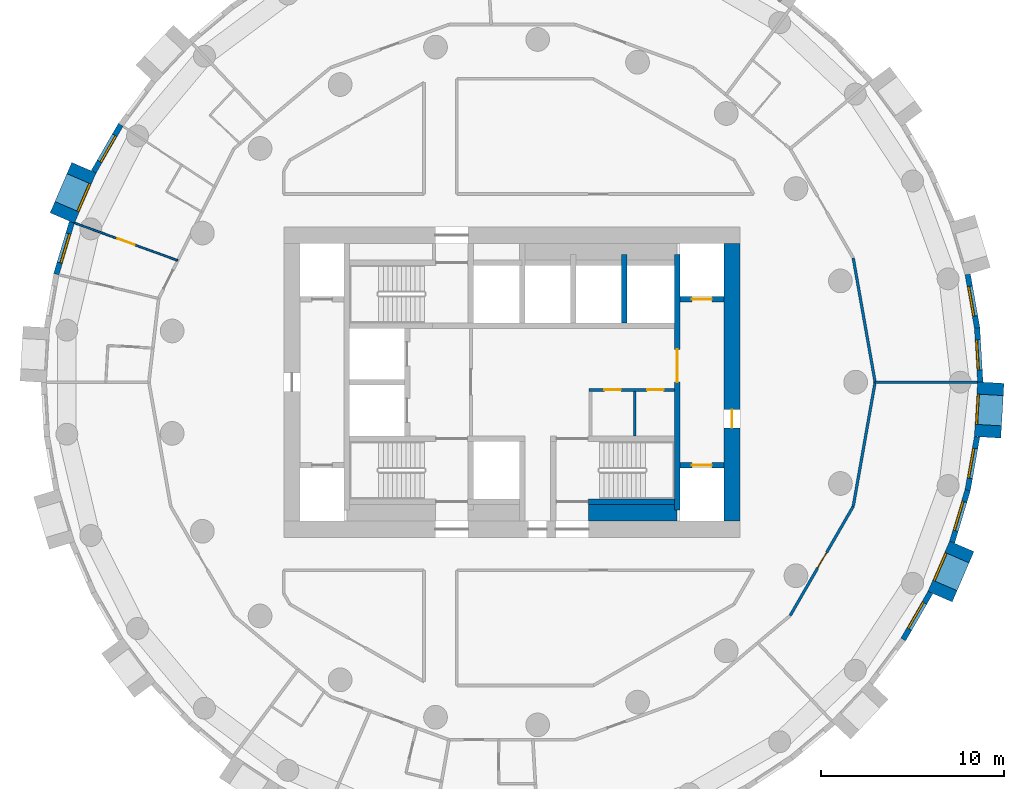
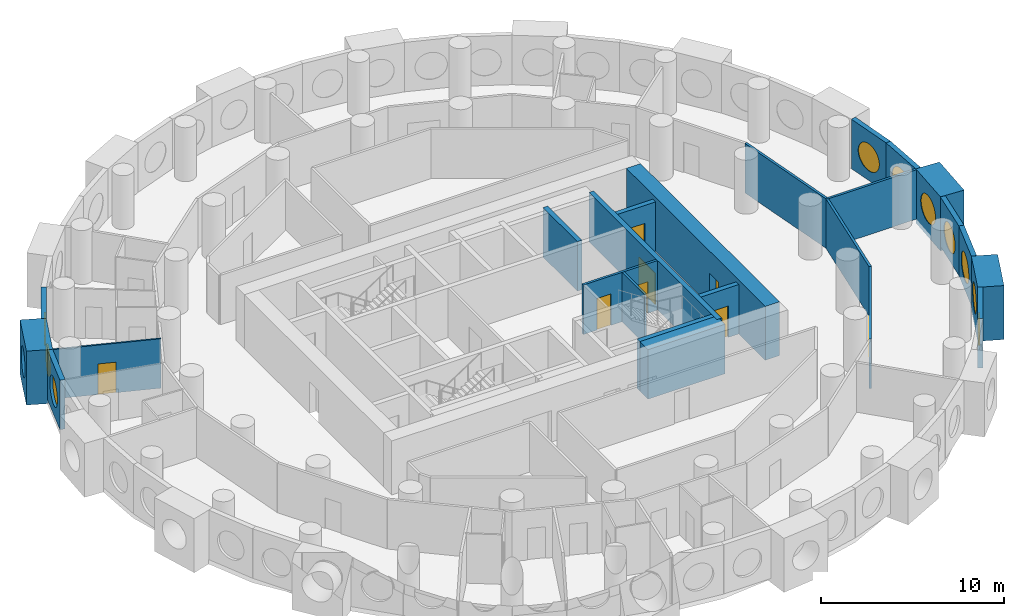
# One storey, part 5 of 9: 24 walls, 10 windows, 8 doors, 18 openings.
"""IFC4 building model written with IfcOpenShell, lengths in metres."""

from ifc_helpers import new_model, si_unit, direction, frame, frame_2d, origin, origin_2d, place, context, subcontext, project, spatial, rectangle, circle, extrude, material, layer, layer_set, type_object, element, fill, save


model = new_model("IFC4")

# Units and contexts
model_context = context("Model", 3, precision=1e-05, world=origin(), true_north=direction((0.0, 1.0)))
body_context = subcontext(model_context, "Body", "Model", "MODEL_VIEW")
ifc_project = project(units=[si_unit("LENGTHUNIT", "METRE"), si_unit("AREAUNIT", "SQUARE_METRE"), si_unit("VOLUMEUNIT", "CUBIC_METRE"), si_unit("PLANEANGLEUNIT", "RADIAN"), si_unit("MASSUNIT", "GRAM", prefix="KILO")], contexts=[model_context])

# Site, building, storey
site_placement = place(None, origin())
site = spatial("IfcSite", under=ifc_project, at=site_placement, CompositionType="ELEMENT")
building_placement = place(site_placement, origin())
building = spatial("IfcBuilding", under=site, at=building_placement, Name="Tracery Tower", CompositionType="ELEMENT")
storey_placement = place(building_placement, frame((0.0, 0.0, 187.199951171875)))
storey = spatial("IfcBuildingStorey", under=building, at=storey_placement, Name="L48", CompositionType="ELEMENT", Elevation=187.199951171875)

# Wall, openings, doors
ifc_material_1 = material(Name="Plasterboard on steel studs", Category="steel")
ifc_layer_1 = layer(ifc_material_1, 0.14990234375)
ifc_layer_set_1 = layer_set([ifc_layer_1], Name="Core room partition 150")
wall_type_1 = type_object("IfcWallType", Name="Core room partition 150", PredefinedType="SOLIDWALL", material=ifc_layer_set_1)
wall_1_placement = place(storey_placement, frame((4.22509765625, -0.425048828125, 0.0), z_axis=(0.0, 0.0, 1.0), x_axis=(1.0, 0.0, 0.0)))
wall_1 = element("IfcWall", 1, at=wall_1_placement, inside=storey, type_object=wall_type_1, Name="L48 slot N", PredefinedType="SOLIDWALL", context=body_context, shape_type="SweptSolid", body=[
    extrude(rectangle(XDim=4.6748046875, YDim=0.14990234375, at=frame_2d((2.33740234375, 0.0))), origin(), (0.0, 0.0, 1.0), 3.300048828125),
])
opening_1_placement = place(wall_1_placement, frame((0.83740234375, 0.0, 0.0)))
opening_1 = element("IfcOpeningElement", 2, at=opening_1_placement, cuts=wall_1, Name="Opening KD27", PredefinedType="OPENING", context=body_context, shape_type="SweptSolid", body=[
    extrude(rectangle(XDim=0.89990234375, YDim=2.10009765625, at=frame_2d((0.449951171875, 1.050048828125))), frame((0.0, 0.074951171875, 0.0), z_axis=(0.0, -1.0, 0.0), x_axis=(1.0, 0.0, 0.0)), (0.0, 0.0, 1.0), 0.14990234375),
])
opening_2_placement = place(wall_1_placement, frame((3.175048828125, 0.0, 0.0)))
opening_2 = element("IfcOpeningElement", 3, at=opening_2_placement, cuts=wall_1, Name="Opening KD21", PredefinedType="OPENING", context=body_context, shape_type="SweptSolid", body=[
    extrude(rectangle(XDim=0.89990234375, YDim=2.10009765625, at=frame_2d((0.449951171875, 1.050048828125))), frame((0.0, 0.074951171875, 0.0), z_axis=(0.0, -1.0, 0.0), x_axis=(1.0, 0.0, 0.0)), (0.0, 0.0, 1.0), 0.14990234375),
])
ifc_material_2 = material(Name="Timber door leaf", Category="wood")
door_type_1 = type_object("IfcDoorType", Name="Core WC door 900", OperationType="NOTDEFINED", PredefinedType="DOOR", material=ifc_material_2)
door_1_placement = place(opening_2_placement, origin())
door_1 = element("IfcDoor", 4, at=door_1_placement, inside=storey, type_object=door_type_1, Name="Core door", OperationType="SINGLE_SWING_LEFT", OverallHeight=2.10009765625, OverallWidth=0.89990234375, PredefinedType="DOOR", context=body_context, shape_type="SweptSolid", body=[
    extrude(rectangle(XDim=0.89990234375, YDim=2.10009765625, at=frame_2d((0.449951171875, 1.050048828125))), frame((0.0, 0.02490234375, 0.0), z_axis=(0.0, -1.0, 0.0), x_axis=(1.0, 0.0, 0.0)), (0.0, 0.0, 1.0), 0.050048828125),
])
fill(opening_2, door_1)
ifc_material_3 = material(Name="Timber door leaf", Category="wood")
door_type_2 = type_object("IfcDoorType", Name="Core store door 900", OperationType="NOTDEFINED", PredefinedType="DOOR", material=ifc_material_3)
door_2_placement = place(opening_1_placement, origin())
door_2 = element("IfcDoor", 5, at=door_2_placement, inside=storey, type_object=door_type_2, Name="Core door", OperationType="SINGLE_SWING_RIGHT", OverallHeight=2.10009765625, OverallWidth=0.89990234375, PredefinedType="DOOR", context=body_context, shape_type="SweptSolid", body=[
    extrude(rectangle(XDim=0.89990234375, YDim=2.10009765625, at=frame_2d((0.449951171875, 1.050048828125))), frame((0.0, 0.02490234375, 0.0), z_axis=(0.0, -1.0, 0.0), x_axis=(1.0, 0.0, 0.0)), (0.0, 0.0, 1.0), 0.050048828125),
])
fill(opening_1, door_2)

# Walls
wall_2_placement = place(storey_placement, frame((6.72509765625, -2.949951171875, 0.0), z_axis=(0.0, 0.0, 1.0), x_axis=(0.0, 1.0, 0.0)))
element("IfcWall", 6, at=wall_2_placement, inside=storey, type_object=wall_type_1, Name="L48 slot sep 1", PredefinedType="SOLIDWALL", context=body_context, shape_type="SweptSolid", body=[
    extrude(rectangle(XDim=2.449951171875, YDim=0.14990234375, at=frame_2d((1.22509765625, 0.0))), origin(), (0.0, 0.0, 1.0), 3.300048828125),
])
ifc_material_4 = material(Name="Concrete C50/60", Category="concrete")
ifc_layer_2 = layer(ifc_material_4, 0.89990234375)
ifc_layer_set_2 = layer_set([ifc_layer_2], Name="Core strip wall 900 C50")
wall_type_2 = type_object("IfcWallType", Name="Core strip wall 900 C50", PredefinedType="SOLIDWALL", material=ifc_layer_set_2)
wall_3_placement = place(storey_placement, frame((4.199951171875, -7.14990234375, 0.0), z_axis=(0.0, 0.0, 1.0), x_axis=(1.0, 0.0, 0.0)))
element("IfcWall", 7, at=wall_3_placement, inside=storey, type_object=wall_type_2, Name="L48 F thick S E", PredefinedType="SOLIDWALL", context=body_context, shape_type="SweptSolid", body=[
    extrude(rectangle(XDim=4.85009765625, YDim=0.89990234375, at=frame_2d((2.425048828125, 0.0))), origin(), (0.0, 0.0, 1.0), 3.300048828125),
])

# Wall, opening, door
ifc_material_5 = material(Name="Concrete C50/60", Category="concrete")
ifc_layer_3 = layer(ifc_material_5, 0.89990234375)
ifc_layer_set_3 = layer_set([ifc_layer_3], Name="Core wall 900 C50")
wall_type_3 = type_object("IfcWallType", Name="Core wall 900 C50", PredefinedType="SOLIDWALL", material=ifc_layer_set_3)
wall_4_placement = place(storey_placement, frame((12.050048828125, -7.60009765625, 0.0), z_axis=(0.0, 0.0, 1.0), x_axis=(0.0, 1.0, 0.0)))
wall_4 = element("IfcWall", 8, at=wall_4_placement, inside=storey, type_object=wall_type_3, Name="L48 outer E", PredefinedType="SOLIDWALL", context=body_context, shape_type="SweptSolid", body=[
    extrude(rectangle(XDim=15.2001953125, YDim=0.89990234375, at=frame_2d((7.60009765625, 0.0))), origin(), (0.0, 0.0, 1.0), 3.60009765625),
])
opening_3_placement = place(wall_4_placement, frame((5.10009765625, 0.0, 0.0)))
opening_3 = element("IfcOpeningElement", 9, at=opening_3_placement, cuts=wall_4, Name="Opening KD18", PredefinedType="OPENING", context=body_context, shape_type="SweptSolid", body=[
    extrude(rectangle(XDim=1.0, YDim=2.10009765625, at=frame_2d((0.5, 1.050048828125))), frame((0.0, 0.449951171875, 0.0), z_axis=(0.0, -1.0, 0.0), x_axis=(1.0, 0.0, 0.0)), (0.0, 0.0, 1.0), 0.89990234375),
])
ifc_material_6 = material(Name="Steel fire door", Category="steel")
door_type_3 = type_object("IfcDoorType", Name="Core exit door 1000", OperationType="NOTDEFINED", PredefinedType="DOOR", material=ifc_material_6)
door_3_placement = place(opening_3_placement, origin())
door_3 = element("IfcDoor", 10, at=door_3_placement, inside=storey, type_object=door_type_3, Name="Core exit door", OperationType="DOUBLE_DOOR_SINGLE_SWING", OverallHeight=2.10009765625, OverallWidth=1.0, PredefinedType="DOOR", context=body_context, shape_type="SweptSolid", body=[
    extrude(rectangle(XDim=1.0, YDim=2.10009765625, at=frame_2d((0.5, 1.050048828125))), frame((0.0, 0.02490234375, 0.0), z_axis=(0.0, -1.0, 0.0), x_axis=(1.0, 0.0, 0.0)), (0.0, 0.0, 1.0), 0.050048828125),
])
fill(opening_3, door_3)

# Wall, opening, window
ifc_material_7 = material(Name="Precast concrete C50/60", Category="concrete")
ifc_layer_4 = layer(ifc_material_7, 1.449951171875)
ifc_layer_set_4 = layer_set([ifc_layer_4], Name="Deep-set bay unit 3000 x 3600, slab edge 300")
wall_type_4 = type_object("IfcWallType", Name="Deep-set bay unit 3000 x 3600, slab edge 300", PredefinedType="ELEMENTEDWALL", material=ifc_layer_set_4)
wall_5_placement = place(storey_placement, frame((-23.44384765625, 11.746337890625, -0.300048828125), z_axis=(0.0, 0.0, 1.0), x_axis=(-0.396079003245, -0.918216435917, 0.0)))
wall_5 = element("IfcWall", 11, at=wall_5_placement, inside=storey, type_object=wall_type_4, Name="Deep-set bay unit 24 at L48", PredefinedType="ELEMENTEDWALL", context=body_context, shape_type="SweptSolid", body=[
    extrude(rectangle(XDim=3.0, YDim=1.449951171875, at=frame_2d((1.5, 0.0))), origin(), (0.0, 0.0, 1.0), 3.60009765625),
])
opening_4_placement = place(wall_5_placement, frame((1.5, 0.0, 1.85009765625)))
opening_4 = element("IfcOpeningElement", 12, at=opening_4_placement, cuts=wall_5, Name="Opening WN1", PredefinedType="OPENING", context=body_context, shape_type="SweptSolid", body=[
    extrude(circle(Radius=0.9000244140625, at=origin_2d()), frame((0.0, 0.73486328125, 0.0), z_axis=(0.0, -1.0, 0.0), x_axis=(1.0, 0.0, 0.0)), (0.0, 0.0, 1.0), 1.469970703125),
])
ifc_material_8 = material(Name="Aluminium frame with tinted double glazing", Category="aluminium")
window_type = type_object("IfcWindowType", Name="Round window 1800", PartitioningType="SINGLE_PANEL", PredefinedType="WINDOW", material=ifc_material_8)
window_1_placement = place(opening_4_placement, origin())
window_1 = element("IfcWindow", 13, at=window_1_placement, inside=storey, type_object=window_type, Name="Round window 24 at L48", OverallHeight=1.800048828125, OverallWidth=1.800048828125, PartitioningType="SINGLE_PANEL", PredefinedType="WINDOW", context=body_context, shape_type="SweptSolid", body=[
    extrude(circle(Radius=0.9000244140625, at=origin_2d()), frame((0.0, 0.69482421875, 0.0), z_axis=(0.0, -1.0, 0.0), x_axis=(1.0, 0.0, 0.0)), (0.0, 0.0, 1.0), 0.10009765625),
])
fill(opening_4, window_1)

wall_6_placement = place(storey_placement, frame((23.44384765625, -11.746337890625, -0.300048828125), z_axis=(0.0, 0.0, 1.0), x_axis=(0.396079003245, 0.918216435917, 0.0)))
wall_6 = element("IfcWall", 14, at=wall_6_placement, inside=storey, type_object=wall_type_4, Name="Deep-set bay unit 51 at L48", PredefinedType="ELEMENTEDWALL", context=body_context, shape_type="SweptSolid", body=[
    extrude(rectangle(XDim=3.0, YDim=1.449951171875, at=frame_2d((1.5, 0.0))), origin(), (0.0, 0.0, 1.0), 3.60009765625),
])
opening_5_placement = place(wall_6_placement, frame((1.5, 0.0, 1.85009765625)))
opening_5 = element("IfcOpeningElement", 15, at=opening_5_placement, cuts=wall_6, Name="Opening WN1", PredefinedType="OPENING", context=body_context, shape_type="SweptSolid", body=[
    extrude(circle(Radius=0.9000244140625, at=origin_2d()), frame((0.0, 0.73486328125, 0.0), z_axis=(0.0, -1.0, 0.0), x_axis=(1.0, 0.0, 0.0)), (0.0, 0.0, 1.0), 1.469970703125),
])
window_2_placement = place(opening_5_placement, origin())
window_2 = element("IfcWindow", 16, at=window_2_placement, inside=storey, type_object=window_type, Name="Round window 51 at L48", OverallHeight=1.800048828125, OverallWidth=1.800048828125, PartitioningType="SINGLE_PANEL", PredefinedType="WINDOW", context=body_context, shape_type="SweptSolid", body=[
    extrude(circle(Radius=0.9000244140625, at=origin_2d()), frame((0.0, 0.69482421875, 0.0), z_axis=(0.0, -1.0, 0.0), x_axis=(1.0, 0.0, 0.0)), (0.0, 0.0, 1.0), 0.10009765625),
])
fill(opening_5, window_2)

wall_7_placement = place(storey_placement, frame((26.047607421875, -3.01953125, -0.300048828125), z_axis=(0.0, 0.0, 1.0), x_axis=(0.058106596105, 0.998310384344, 0.0)))
wall_7 = element("IfcWall", 17, at=wall_7_placement, inside=storey, type_object=wall_type_4, Name="Deep-set bay unit 54 at L48", PredefinedType="ELEMENTEDWALL", context=body_context, shape_type="SweptSolid", body=[
    extrude(rectangle(XDim=3.0, YDim=1.449951171875, at=frame_2d((1.5, 0.0))), origin(), (0.0, 0.0, 1.0), 3.60009765625),
])
opening_6_placement = place(wall_7_placement, frame((1.5, 0.0, 1.85009765625)))
opening_6 = element("IfcOpeningElement", 18, at=opening_6_placement, cuts=wall_7, Name="Opening WN1", PredefinedType="OPENING", context=body_context, shape_type="SweptSolid", body=[
    extrude(circle(Radius=0.9000244140625, at=origin_2d()), frame((0.0, 0.73486328125, 0.0), z_axis=(0.0, -1.0, 0.0), x_axis=(1.0, 0.0, 0.0)), (0.0, 0.0, 1.0), 1.469970703125),
])
window_3_placement = place(opening_6_placement, origin())
window_3 = element("IfcWindow", 19, at=window_3_placement, inside=storey, type_object=window_type, Name="Round window 54 at L48", OverallHeight=1.800048828125, OverallWidth=1.800048828125, PartitioningType="SINGLE_PANEL", PredefinedType="WINDOW", context=body_context, shape_type="SweptSolid", body=[
    extrude(circle(Radius=0.9000244140625, at=origin_2d()), frame((0.0, 0.69482421875, 0.0), z_axis=(0.0, -1.0, 0.0), x_axis=(1.0, 0.0, 0.0)), (0.0, 0.0, 1.0), 0.10009765625),
])
fill(opening_6, window_3)

ifc_material_9 = material(Name="Precast concrete C50/60", Category="concrete")
ifc_layer_5 = layer(ifc_material_9, 0.300048828125)
ifc_layer_set_5 = layer_set([ifc_layer_5], Name="Facade panel 3000 x 3300")
wall_type_5 = type_object("IfcWallType", Name="Facade panel 3000 x 3300", PredefinedType="SOLIDWALL", material=ifc_layer_set_5)
wall_8_placement = place(storey_placement, frame((25.64697265625, 0.009521484375, 0.0), z_axis=(0.0, 0.0, 1.0), x_axis=(-0.058139540521, 0.998308466271, 0.0)))
wall_8 = element("IfcWall", 20, at=wall_8_placement, inside=storey, type_object=wall_type_5, Name="Facade panel 1 at L48", PredefinedType="SOLIDWALL", context=body_context, shape_type="SweptSolid", body=[
    extrude(rectangle(XDim=2.97314453125, YDim=0.300048828125, at=frame_2d((1.486572265625, 0.0))), origin(), (0.0, 0.0, 1.0), 3.300048828125),
])
opening_7_placement = place(wall_8_placement, frame((1.486328125, 0.0, 1.5498046875)))
opening_7 = element("IfcOpeningElement", 21, at=opening_7_placement, cuts=wall_8, Name="Opening WN1", PredefinedType="OPENING", context=body_context, shape_type="SweptSolid", body=[
    extrude(circle(Radius=0.9000244140625, at=origin_2d()), frame((0.0, 0.159912109375, 0.0), z_axis=(0.0, -1.0, 0.0), x_axis=(1.0, 0.0, 0.0)), (0.0, 0.0, 1.0), 0.320068359375),
])
window_4_placement = place(opening_7_placement, origin())
window_4 = element("IfcWindow", 22, at=window_4_placement, inside=storey, type_object=window_type, Name="Round window 1 at L48", OverallHeight=1.800048828125, OverallWidth=1.800048828125, PartitioningType="SINGLE_PANEL", PredefinedType="WINDOW", context=body_context, shape_type="SweptSolid", body=[
    extrude(circle(Radius=0.9000244140625, at=origin_2d()), frame((0.0, 0.1201171875, 0.0), z_axis=(0.0, -1.0, 0.0), x_axis=(1.0, 0.0, 0.0)), (0.0, 0.0, 1.0), 0.10009765625),
])
fill(opening_7, window_4)

wall_9_placement = place(storey_placement, frame((25.47412109375, 2.9775390625, 0.0), z_axis=(0.0, 0.0, 1.0), x_axis=(-0.173686952598, 0.984800915159, 0.0)))
wall_9 = element("IfcWall", 23, at=wall_9_placement, inside=storey, type_object=wall_type_5, Name="Facade panel 2 at L48", PredefinedType="SOLIDWALL", context=body_context, shape_type="SweptSolid", body=[
    extrude(rectangle(XDim=2.972900390625, YDim=0.300048828125, at=frame_2d((1.486328125, 0.0))), origin(), (0.0, 0.0, 1.0), 3.300048828125),
])
opening_8_placement = place(wall_9_placement, frame((1.486328125, 0.0, 1.5498046875)))
opening_8 = element("IfcOpeningElement", 24, at=opening_8_placement, cuts=wall_9, Name="Opening WN1", PredefinedType="OPENING", context=body_context, shape_type="SweptSolid", body=[
    extrude(circle(Radius=0.9000244140625, at=origin_2d()), frame((0.0, 0.159912109375, 0.0), z_axis=(0.0, -1.0, 0.0), x_axis=(1.0, 0.0, 0.0)), (0.0, 0.0, 1.0), 0.320068359375),
])
window_5_placement = place(opening_8_placement, origin())
window_5 = element("IfcWindow", 25, at=window_5_placement, inside=storey, type_object=window_type, Name="Round window 2 at L48", OverallHeight=1.800048828125, OverallWidth=1.800048828125, PartitioningType="SINGLE_PANEL", PredefinedType="WINDOW", context=body_context, shape_type="SweptSolid", body=[
    extrude(circle(Radius=0.9000244140625, at=origin_2d()), frame((0.0, 0.1201171875, 0.0), z_axis=(0.0, -1.0, 0.0), x_axis=(1.0, 0.0, 0.0)), (0.0, 0.0, 1.0), 0.10009765625),
])
fill(opening_8, window_5)

wall_10_placement = place(storey_placement, frame((-21.42822265625, 14.093505859375, 0.0), z_axis=(0.0, 0.0, 1.0), x_axis=(-0.499954672104, -0.866051572276, 0.0)))
wall_10 = element("IfcWall", 26, at=wall_10_placement, inside=storey, type_object=wall_type_5, Name="Facade panel 23 at L48", PredefinedType="SOLIDWALL", context=body_context, shape_type="SweptSolid", body=[
    extrude(rectangle(XDim=2.972900390625, YDim=0.300048828125, at=frame_2d((1.486328125, 0.0))), origin(), (0.0, 0.0, 1.0), 3.300048828125),
])
opening_9_placement = place(wall_10_placement, frame((1.486328125, 0.0, 1.5498046875)))
opening_9 = element("IfcOpeningElement", 27, at=opening_9_placement, cuts=wall_10, Name="Opening WN1", PredefinedType="OPENING", context=body_context, shape_type="SweptSolid", body=[
    extrude(circle(Radius=0.9000244140625, at=origin_2d()), frame((0.0, 0.159912109375, 0.0), z_axis=(0.0, -1.0, 0.0), x_axis=(1.0, 0.0, 0.0)), (0.0, 0.0, 1.0), 0.320068359375),
])
window_6_placement = place(opening_9_placement, origin())
window_6 = element("IfcWindow", 28, at=window_6_placement, inside=storey, type_object=window_type, Name="Round window 23 at L48", OverallHeight=1.800048828125, OverallWidth=1.800048828125, PartitioningType="SINGLE_PANEL", PredefinedType="WINDOW", context=body_context, shape_type="SweptSolid", body=[
    extrude(circle(Radius=0.9000244140625, at=origin_2d()), frame((0.0, 0.1201171875, 0.0), z_axis=(0.0, -1.0, 0.0), x_axis=(1.0, 0.0, 0.0)), (0.0, 0.0, 1.0), 0.10009765625),
])
fill(opening_9, window_6)

wall_11_placement = place(storey_placement, frame((-24.103515625, 8.7626953125, 0.0), z_axis=(0.0, 0.0, 1.0), x_axis=(-0.286782750849, -0.957995643944, 0.0)))
wall_11 = element("IfcWall", 29, at=wall_11_placement, inside=storey, type_object=wall_type_5, Name="Facade panel 25 at L48", PredefinedType="SOLIDWALL", context=body_context, shape_type="SweptSolid", body=[
    extrude(rectangle(XDim=2.97265625, YDim=0.300048828125, at=frame_2d((1.486328125, 0.0))), origin(), (0.0, 0.0, 1.0), 3.300048828125),
])
opening_10_placement = place(wall_11_placement, frame((1.486328125, 0.0, 1.5498046875)))
opening_10 = element("IfcOpeningElement", 30, at=opening_10_placement, cuts=wall_11, Name="Opening WN1", PredefinedType="OPENING", context=body_context, shape_type="SweptSolid", body=[
    extrude(circle(Radius=0.9000244140625, at=origin_2d()), frame((0.0, 0.159912109375, 0.0), z_axis=(0.0, -1.0, 0.0), x_axis=(1.0, 0.0, 0.0)), (0.0, 0.0, 1.0), 0.320068359375),
])
window_7_placement = place(opening_10_placement, origin())
window_7 = element("IfcWindow", 31, at=window_7_placement, inside=storey, type_object=window_type, Name="Round window 25 at L48", OverallHeight=1.800048828125, OverallWidth=1.800048828125, PartitioningType="SINGLE_PANEL", PredefinedType="WINDOW", context=body_context, shape_type="SweptSolid", body=[
    extrude(circle(Radius=0.9000244140625, at=origin_2d()), frame((0.0, 0.1201171875, 0.0), z_axis=(0.0, -1.0, 0.0), x_axis=(1.0, 0.0, 0.0)), (0.0, 0.0, 1.0), 0.10009765625),
])
fill(opening_10, window_7)

wall_12_placement = place(storey_placement, frame((21.42822265625, -14.093505859375, 0.0), z_axis=(0.0, 0.0, 1.0), x_axis=(0.499954672104, 0.866051572276, 0.0)))
wall_12 = element("IfcWall", 32, at=wall_12_placement, inside=storey, type_object=wall_type_5, Name="Facade panel 50 at L48", PredefinedType="SOLIDWALL", context=body_context, shape_type="SweptSolid", body=[
    extrude(rectangle(XDim=2.972900390625, YDim=0.300048828125, at=frame_2d((1.486328125, 0.0))), origin(), (0.0, 0.0, 1.0), 3.300048828125),
])
opening_11_placement = place(wall_12_placement, frame((1.486328125, 0.0, 1.5498046875)))
opening_11 = element("IfcOpeningElement", 33, at=opening_11_placement, cuts=wall_12, Name="Opening WN1", PredefinedType="OPENING", context=body_context, shape_type="SweptSolid", body=[
    extrude(circle(Radius=0.9000244140625, at=origin_2d()), frame((0.0, 0.159912109375, 0.0), z_axis=(0.0, -1.0, 0.0), x_axis=(1.0, 0.0, 0.0)), (0.0, 0.0, 1.0), 0.320068359375),
])
window_8_placement = place(opening_11_placement, origin())
window_8 = element("IfcWindow", 34, at=window_8_placement, inside=storey, type_object=window_type, Name="Round window 50 at L48", OverallHeight=1.800048828125, OverallWidth=1.800048828125, PartitioningType="SINGLE_PANEL", PredefinedType="WINDOW", context=body_context, shape_type="SweptSolid", body=[
    extrude(circle(Radius=0.9000244140625, at=origin_2d()), frame((0.0, 0.1201171875, 0.0), z_axis=(0.0, -1.0, 0.0), x_axis=(1.0, 0.0, 0.0)), (0.0, 0.0, 1.0), 0.10009765625),
])
fill(opening_11, window_8)

wall_13_placement = place(storey_placement, frame((24.103515625, -8.7626953125, 0.0), z_axis=(0.0, 0.0, 1.0), x_axis=(0.286782750849, 0.957995643944, 0.0)))
wall_13 = element("IfcWall", 35, at=wall_13_placement, inside=storey, type_object=wall_type_5, Name="Facade panel 52 at L48", PredefinedType="SOLIDWALL", context=body_context, shape_type="SweptSolid", body=[
    extrude(rectangle(XDim=2.97265625, YDim=0.300048828125, at=frame_2d((1.486328125, 0.0))), origin(), (0.0, 0.0, 1.0), 3.300048828125),
])
opening_12_placement = place(wall_13_placement, frame((1.486328125, 0.0, 1.5498046875)))
opening_12 = element("IfcOpeningElement", 36, at=opening_12_placement, cuts=wall_13, Name="Opening WN1", PredefinedType="OPENING", context=body_context, shape_type="SweptSolid", body=[
    extrude(circle(Radius=0.9000244140625, at=origin_2d()), frame((0.0, 0.159912109375, 0.0), z_axis=(0.0, -1.0, 0.0), x_axis=(1.0, 0.0, 0.0)), (0.0, 0.0, 1.0), 0.320068359375),
])
window_9_placement = place(opening_12_placement, origin())
window_9 = element("IfcWindow", 37, at=window_9_placement, inside=storey, type_object=window_type, Name="Round window 52 at L48", OverallHeight=1.800048828125, OverallWidth=1.800048828125, PartitioningType="SINGLE_PANEL", PredefinedType="WINDOW", context=body_context, shape_type="SweptSolid", body=[
    extrude(circle(Radius=0.9000244140625, at=origin_2d()), frame((0.0, 0.1201171875, 0.0), z_axis=(0.0, -1.0, 0.0), x_axis=(1.0, 0.0, 0.0)), (0.0, 0.0, 1.0), 0.10009765625),
])
fill(opening_12, window_9)

wall_14_placement = place(storey_placement, frame((24.9560546875, -5.914794921875, 0.0), z_axis=(0.0, 0.0, 1.0), x_axis=(0.173686952598, 0.984800915159, 0.0)))
wall_14 = element("IfcWall", 38, at=wall_14_placement, inside=storey, type_object=wall_type_5, Name="Facade panel 53 at L48", PredefinedType="SOLIDWALL", context=body_context, shape_type="SweptSolid", body=[
    extrude(rectangle(XDim=2.972900390625, YDim=0.300048828125, at=frame_2d((1.486328125, 0.0))), origin(), (0.0, 0.0, 1.0), 3.300048828125),
])
opening_13_placement = place(wall_14_placement, frame((1.486328125, 0.0, 1.5498046875)))
opening_13 = element("IfcOpeningElement", 39, at=opening_13_placement, cuts=wall_14, Name="Opening WN1", PredefinedType="OPENING", context=body_context, shape_type="SweptSolid", body=[
    extrude(circle(Radius=0.9000244140625, at=origin_2d()), frame((0.0, 0.159912109375, 0.0), z_axis=(0.0, -1.0, 0.0), x_axis=(1.0, 0.0, 0.0)), (0.0, 0.0, 1.0), 0.320068359375),
])
window_10_placement = place(opening_13_placement, origin())
window_10 = element("IfcWindow", 40, at=window_10_placement, inside=storey, type_object=window_type, Name="Round window 53 at L48", OverallHeight=1.800048828125, OverallWidth=1.800048828125, PartitioningType="SINGLE_PANEL", PredefinedType="WINDOW", context=body_context, shape_type="SweptSolid", body=[
    extrude(circle(Radius=0.9000244140625, at=origin_2d()), frame((0.0, 0.1201171875, 0.0), z_axis=(0.0, -1.0, 0.0), x_axis=(1.0, 0.0, 0.0)), (0.0, 0.0, 1.0), 0.10009765625),
])
fill(opening_13, window_10)

# Wall, opening, door
ifc_material_10 = material(Name="Plasterboard on steel studs", Category="steel")
ifc_layer_6 = layer(ifc_material_10, 0.10009765625)
ifc_layer_set_6 = layer_set([ifc_layer_6], Name="Partition 100 stud")
wall_type_6 = type_object("IfcWallType", Name="Partition 100 stud", PredefinedType="PARTITIONING", material=ifc_layer_set_6)
wall_15_placement = place(storey_placement, frame((-23.9599609375, 8.720947265625, 0.0), z_axis=(0.0, 0.0, 1.0), x_axis=(0.939704504136, -0.341987492326, 0.0)))
wall_15 = element("IfcWall", 41, at=wall_15_placement, inside=storey, type_object=wall_type_6, Name="Stud partition RB6-046", PredefinedType="PARTITIONING", context=body_context, shape_type="SweptSolid", body=[
    extrude(rectangle(XDim=6.014404296875, YDim=0.10009765625, at=frame_2d((3.00732421875, 0.0))), origin(), (0.0, 0.0, 1.0), 3.300048828125),
])
opening_14_placement = place(wall_15_placement, frame((2.5078125, 0.0, 0.0)))
opening_14 = element("IfcOpeningElement", 42, at=opening_14_placement, cuts=wall_15, Name="Opening RB6-11", PredefinedType="OPENING", context=body_context, shape_type="SweptSolid", body=[
    extrude(rectangle(XDim=1.0, YDim=2.0400390625, at=frame_2d((0.5, 1.02001953125))), frame((0.0, 0.050048828125, 0.0), z_axis=(0.0, -1.0, 0.0), x_axis=(1.0, 0.0, 0.0)), (0.0, 0.0, 1.0), 0.10009765625),
])
ifc_material_11 = material(Name="Timber door leaf", Category="wood")
door_type_4 = type_object("IfcDoorType", Name="Door communal room 1000", OperationType="NOTDEFINED", PredefinedType="DOOR", material=ifc_material_11)
door_4_placement = place(opening_14_placement, origin())
door_4 = element("IfcDoor", 43, at=door_4_placement, inside=storey, type_object=door_type_4, Name="Communal room door RB6-11", OperationType="SINGLE_SWING_LEFT", OverallHeight=2.0400390625, OverallWidth=1.0, PredefinedType="DOOR", context=body_context, shape_type="SweptSolid", body=[
    extrude(rectangle(XDim=1.0, YDim=2.0400390625, at=frame_2d((0.5, 1.02001953125))), frame((0.0, 0.02490234375, 0.0), z_axis=(0.0, -1.0, 0.0), x_axis=(1.0, 0.0, 0.0)), (0.0, 0.0, 1.0), 0.050048828125),
])
fill(opening_14, door_4)

# Walls
ifc_material_12 = material(Name="Plasterboard on steel studs", Category="steel")
ifc_layer_7 = layer(ifc_material_12, 0.14990234375)
ifc_layer_set_7 = layer_set([ifc_layer_7], Name="Partition 150 acoustic unit wall")
wall_type_7 = type_object("IfcWallType", Name="Partition 150 acoustic unit wall", PredefinedType="PARTITIONING", material=ifc_layer_set_7)
wall_16_placement = place(storey_placement, frame((19.887939453125, 0.0, 0.0), z_axis=(0.0, 0.0, 1.0), x_axis=(1.0, 0.0, 0.0)))
element("IfcWall", 44, at=wall_16_placement, inside=storey, type_object=wall_type_7, Name="Unit wall RB6-040", PredefinedType="PARTITIONING", context=body_context, shape_type="SweptSolid", body=[
    extrude(rectangle(XDim=5.609130859375, YDim=0.14990234375, at=frame_2d((2.8046875, 0.0))), origin(), (0.0, 0.0, 1.0), 3.300048828125),
])
ifc_material_13 = material(Name="Plasterboard on steel studs", Category="steel")
ifc_layer_8 = layer(ifc_material_13, 0.14990234375)
ifc_layer_set_8 = layer_set([ifc_layer_8], Name="Partition 150 corridor wall")
wall_type_8 = type_object("IfcWallType", Name="Partition 150 corridor wall", PredefinedType="PARTITIONING", material=ifc_layer_set_8)
for number, where, z_axis, x_axis, name in (
    (45, (18.68798828125, 6.802001953125, 0.0), (0.0, 0.0, 1.0), (0.173728873845, -0.98479352069, 0.0), "Corridor wall RB6-008"),
    (46, (18.68798828125, -6.802001953125, 0.0), (0.0, 0.0, 1.0), (0.173728873845, 0.98479352069, 0.0), "Corridor wall RB6-010"),
):
    element("IfcWall", number, at=place(storey_placement, frame(where, z_axis=z_axis, x_axis=x_axis)), inside=storey, type_object=wall_type_8, Name=name, PredefinedType="PARTITIONING", context=body_context, shape_type="SweptSolid", body=[
        extrude(rectangle(XDim=6.906982421875, YDim=0.14990234375, at=frame_2d((3.45361328125, 0.0))), origin(), (0.0, 0.0, 1.0), 3.300048828125),
    ])

# Wall, opening, door
wall_17_placement = place(storey_placement, frame((15.235107421875, -12.783935546875, 0.0), z_axis=(0.0, 0.0, 1.0), x_axis=(0.499914202267, 0.866074933462, 0.0)))
wall_17 = element("IfcWall", 47, at=wall_17_placement, inside=storey, type_object=wall_type_8, Name="Corridor wall RB6-011", PredefinedType="PARTITIONING", context=body_context, shape_type="SweptSolid", body=[
    extrude(rectangle(XDim=6.906982421875, YDim=0.14990234375, at=frame_2d((3.45361328125, 0.0))), origin(), (0.0, 0.0, 1.0), 3.300048828125),
])
opening_15_placement = place(wall_17_placement, frame((3.003173828125, 0.0, 0.0)))
opening_15 = element("IfcOpeningElement", 48, at=opening_15_placement, cuts=wall_17, Name="Opening RB6-25", PredefinedType="OPENING", context=body_context, shape_type="SweptSolid", body=[
    extrude(rectangle(XDim=1.0, YDim=2.0400390625, at=frame_2d((0.5, 1.02001953125))), frame((0.0, 0.074951171875, 0.0), z_axis=(0.0, -1.0, 0.0), x_axis=(1.0, 0.0, 0.0)), (0.0, 0.0, 1.0), 0.14990234375),
])
door_5_placement = place(opening_15_placement, origin())
door_5 = element("IfcDoor", 49, at=door_5_placement, inside=storey, type_object=door_type_4, Name="Communal room door RB6-25", OperationType="SINGLE_SWING_LEFT", OverallHeight=2.0400390625, OverallWidth=1.0, PredefinedType="DOOR", context=body_context, shape_type="SweptSolid", body=[
    extrude(rectangle(XDim=1.0, YDim=2.0400390625, at=frame_2d((0.5, 1.02001953125))), frame((0.0, 0.02490234375, 0.0), z_axis=(0.0, -1.0, 0.0), x_axis=(1.0, 0.0, 0.0)), (0.0, 0.0, 1.0), 0.050048828125),
])
fill(opening_15, door_5)

# Wall
ifc_material_14 = material(Name="Concrete C50/60", Category="concrete")
ifc_layer_9 = layer(ifc_material_14, 0.300048828125)
ifc_layer_set_9 = layer_set([ifc_layer_9], Name="Shaft wall 300 C50")
wall_type_9 = type_object("IfcWallType", Name="Shaft wall 300 C50", PredefinedType="SOLIDWALL", material=ifc_layer_set_9)
wall_18_placement = place(storey_placement, frame((6.14990234375, 3.25, 0.0), z_axis=(0.0, 0.0, 1.0), x_axis=(0.0, 1.0, 0.0)))
element("IfcWall", 50, at=wall_18_placement, inside=storey, type_object=wall_type_9, Name="L48 HR sep 3", PredefinedType="SOLIDWALL", context=body_context, shape_type="SweptSolid", body=[
    extrude(rectangle(XDim=3.75, YDim=0.300048828125, at=frame_2d((1.875, 0.0))), origin(), (0.0, 0.0, 1.0), 3.300048828125),
])

# Wall, opening, door
wall_19_placement = place(storey_placement, frame((9.199951171875, -4.550048828125, 0.0), z_axis=(0.0, 0.0, 1.0), x_axis=(1.0, 0.0, 0.0)))
wall_19 = element("IfcWall", 51, at=wall_19_placement, inside=storey, type_object=wall_type_9, Name="L48 MR E -4.55", PredefinedType="SOLIDWALL", context=body_context, shape_type="SweptSolid", body=[
    extrude(rectangle(XDim=2.400146484375, YDim=0.300048828125, at=frame_2d((1.2001953125, 0.0))), origin(), (0.0, 0.0, 1.0), 3.300048828125),
])
opening_16_placement = place(wall_19_placement, frame((0.64990234375, 0.0, 0.0)))
opening_16 = element("IfcOpeningElement", 52, at=opening_16_placement, cuts=wall_19, Name="Opening KD50", PredefinedType="OPENING", context=body_context, shape_type="SweptSolid", body=[
    extrude(rectangle(XDim=1.10009765625, YDim=2.10009765625, at=frame_2d((0.550048828125, 1.050048828125))), frame((0.0, 0.14990234375, 0.0), z_axis=(0.0, -1.0, 0.0), x_axis=(1.0, 0.0, 0.0)), (0.0, 0.0, 1.0), 0.300048828125),
])
ifc_material_15 = material(Name="Steel fire door", Category="steel")
door_type_5 = type_object("IfcDoorType", Name="Landing door 1100", OperationType="NOTDEFINED", PredefinedType="DOOR", material=ifc_material_15)
door_6_placement = place(opening_16_placement, origin())
door_6 = element("IfcDoor", 53, at=door_6_placement, inside=storey, type_object=door_type_5, Name="Landing door MR3", OperationType="SLIDING_TO_RIGHT", OverallHeight=2.10009765625, OverallWidth=1.10009765625, PredefinedType="DOOR", context=body_context, shape_type="SweptSolid", body=[
    extrude(rectangle(XDim=1.10009765625, YDim=2.10009765625, at=frame_2d((0.550048828125, 1.050048828125))), frame((0.0, 0.02490234375, 0.0), z_axis=(0.0, -1.0, 0.0), x_axis=(1.0, 0.0, 0.0)), (0.0, 0.0, 1.0), 0.050048828125),
])
fill(opening_16, door_6)

wall_20_placement = place(storey_placement, frame((9.199951171875, 4.550048828125, 0.0), z_axis=(0.0, 0.0, 1.0), x_axis=(1.0, 0.0, 0.0)))
wall_20 = element("IfcWall", 54, at=wall_20_placement, inside=storey, type_object=wall_type_9, Name="L48 MR E +4.55", PredefinedType="SOLIDWALL", context=body_context, shape_type="SweptSolid", body=[
    extrude(rectangle(XDim=2.400146484375, YDim=0.300048828125, at=frame_2d((1.2001953125, 0.0))), origin(), (0.0, 0.0, 1.0), 3.300048828125),
])
opening_17_placement = place(wall_20_placement, frame((0.64990234375, 0.0, 0.0)))
opening_17 = element("IfcOpeningElement", 55, at=opening_17_placement, cuts=wall_20, Name="Opening KD49", PredefinedType="OPENING", context=body_context, shape_type="SweptSolid", body=[
    extrude(rectangle(XDim=1.10009765625, YDim=2.10009765625, at=frame_2d((0.550048828125, 1.050048828125))), frame((0.0, 0.14990234375, 0.0), z_axis=(0.0, -1.0, 0.0), x_axis=(1.0, 0.0, 0.0)), (0.0, 0.0, 1.0), 0.300048828125),
])
door_7_placement = place(opening_17_placement, origin())
door_7 = element("IfcDoor", 56, at=door_7_placement, inside=storey, type_object=door_type_5, Name="Landing door MR4", OperationType="SLIDING_TO_LEFT", OverallHeight=2.10009765625, OverallWidth=1.10009765625, PredefinedType="DOOR", context=body_context, shape_type="SweptSolid", body=[
    extrude(rectangle(XDim=1.10009765625, YDim=2.10009765625, at=frame_2d((0.550048828125, 1.050048828125))), frame((0.0, 0.02490234375, 0.0), z_axis=(0.0, -1.0, 0.0), x_axis=(1.0, 0.0, 0.0)), (0.0, 0.0, 1.0), 0.050048828125),
])
fill(opening_17, door_7)

ifc_material_16 = material(Name="Concrete C50/60", Category="concrete")
ifc_layer_10 = layer(ifc_material_16, 0.300048828125)
ifc_layer_set_10 = layer_set([ifc_layer_10], Name="Stair wall 300 C50")
wall_type_10 = type_object("IfcWallType", Name="Stair wall 300 C50", PredefinedType="SOLIDWALL", material=ifc_layer_set_10)
wall_21_placement = place(storey_placement, frame((9.050048828125, -7.0, 0.0), z_axis=(0.0, 0.0, 1.0), x_axis=(0.0, 1.0, 0.0)))
wall_21 = element("IfcWall", 57, at=wall_21_placement, inside=storey, type_object=wall_type_10, Name="L48 F wall +9", PredefinedType="SOLIDWALL", context=body_context, shape_type="SweptSolid", body=[
    extrude(rectangle(XDim=14.0, YDim=0.300048828125, at=frame_2d((7.0, 0.0))), origin(), (0.0, 0.0, 1.0), 3.300048828125),
])
opening_18_placement = place(wall_21_placement, frame((7.0, 0.0, 0.0)))
opening_18 = element("IfcOpeningElement", 58, at=opening_18_placement, cuts=wall_21, Name="Opening KD13", PredefinedType="OPENING", context=body_context, shape_type="SweptSolid", body=[
    extrude(rectangle(XDim=1.800048828125, YDim=2.10009765625, at=frame_2d((0.89990234375, 1.050048828125))), frame((0.0, 0.14990234375, 0.0), z_axis=(0.0, -1.0, 0.0), x_axis=(1.0, 0.0, 0.0)), (0.0, 0.0, 1.0), 0.300048828125),
])
ifc_material_17 = material(Name="Steel fire door", Category="steel")
door_type_6 = type_object("IfcDoorType", Name="Core exit door 1800 double", OperationType="NOTDEFINED", PredefinedType="DOOR", material=ifc_material_17)
door_8_placement = place(opening_18_placement, origin())
door_8 = element("IfcDoor", 59, at=door_8_placement, inside=storey, type_object=door_type_6, Name="Core exit door", OperationType="DOUBLE_DOOR_SINGLE_SWING", OverallHeight=2.10009765625, OverallWidth=1.800048828125, PredefinedType="DOOR", context=body_context, shape_type="SweptSolid", body=[
    extrude(rectangle(XDim=1.800048828125, YDim=2.10009765625, at=frame_2d((0.89990234375, 1.050048828125))), frame((0.0, 0.02490234375, 0.0), z_axis=(0.0, -1.0, 0.0), x_axis=(1.0, 0.0, 0.0)), (0.0, 0.0, 1.0), 0.050048828125),
])
fill(opening_18, door_8)

# Wall
wall_22_placement = place(storey_placement, frame((4.199951171875, -6.550048828125, 0.0), z_axis=(0.0, 0.0, 1.0), x_axis=(1.0, 0.0, 0.0)))
element("IfcWall", 60, at=wall_22_placement, inside=storey, type_object=wall_type_10, Name="L48 F stair strip S E", PredefinedType="SOLIDWALL", context=body_context, shape_type="SweptSolid", body=[
    extrude(rectangle(XDim=4.699951171875, YDim=0.300048828125, at=frame_2d((2.35009765625, 0.0))), origin(), (0.0, 0.0, 1.0), 3.300048828125),
])

save(model, "model.ifc")
